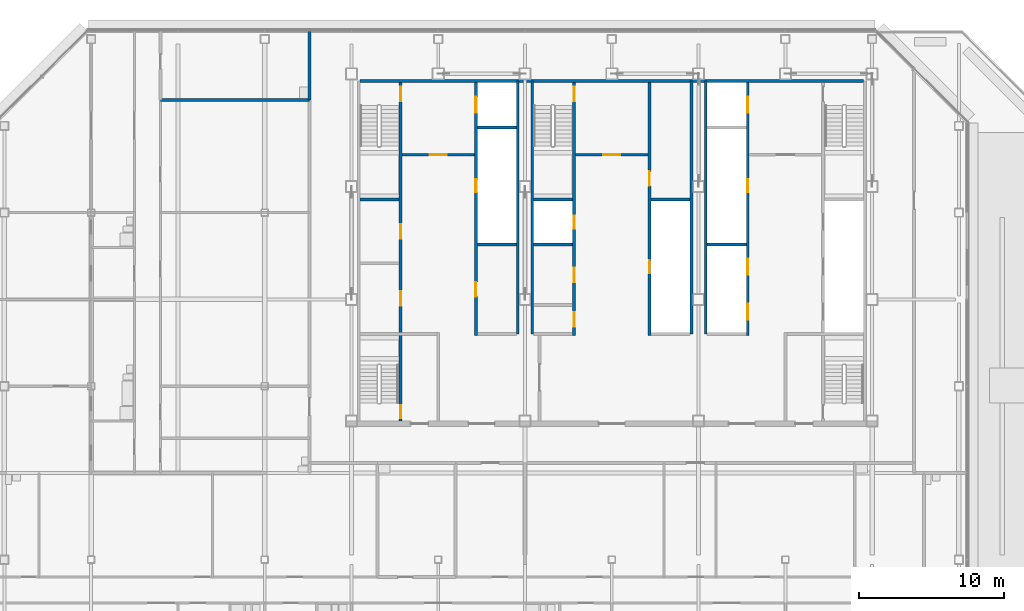
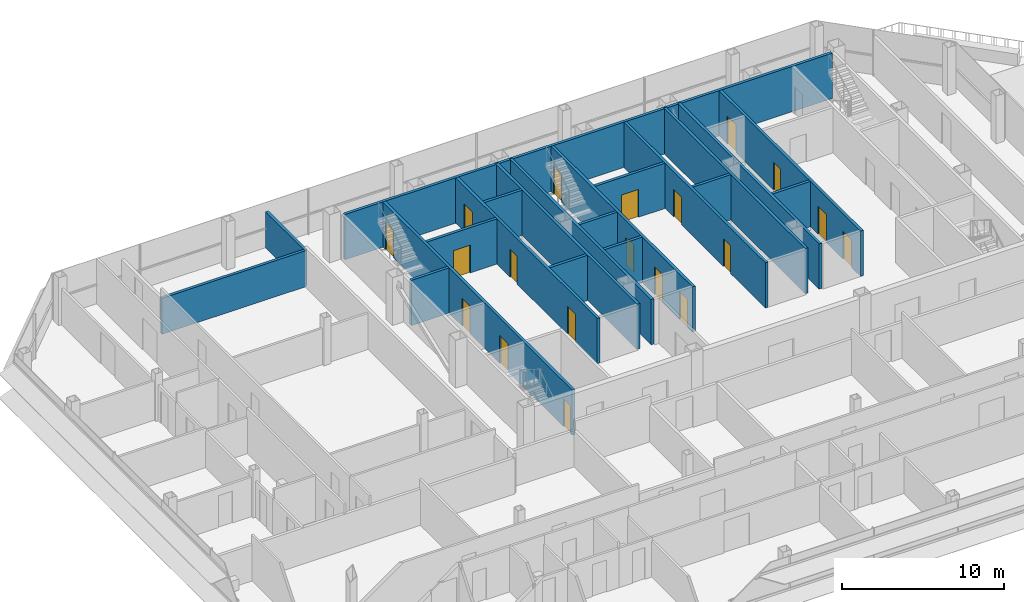
# One storey, part 21 of 28: 21 walls, 19 doors, 19 openings.
"""IFC4 building model written with IfcOpenShell, lengths in metres."""

from ifc_helpers import new_model, si_unit, direction, frame, frame_2d, origin, place, context, subcontext, project, spatial, rectangle, extrude, material, layer, layer_set, type_object, element, fill, save


model = new_model("IFC4")

# Units and contexts
model_context = context("Model", 3, precision=1e-05, world=origin(), true_north=direction((0.0, 1.0)))
body_context = subcontext(model_context, "Body", "Model", "MODEL_VIEW")
ifc_project = project(units=[si_unit("LENGTHUNIT", "METRE"), si_unit("AREAUNIT", "SQUARE_METRE"), si_unit("VOLUMEUNIT", "CUBIC_METRE"), si_unit("PLANEANGLEUNIT", "RADIAN"), si_unit("MASSUNIT", "GRAM", prefix="KILO")], contexts=[model_context])

# Site, building, storey
site_placement = place(None, origin())
site = spatial("IfcSite", under=ifc_project, at=site_placement, CompositionType="ELEMENT")
building_placement = place(site_placement, origin())
building = spatial("IfcBuilding", under=site, at=building_placement, Name="Sorahane Residences", CompositionType="ELEMENT")
storey_placement = place(building_placement, frame((0.0, 0.0, 290.800048828125)))
storey = spatial("IfcBuildingStorey", under=building, at=storey_placement, Name="L68", CompositionType="ELEMENT", Elevation=290.800048828125)

# Walls
ifc_material_1 = material(Name="Concrete C30", Category="concrete")
ifc_layer_1 = layer(ifc_material_1, 0.199951171875)
ifc_layer_set_1 = layer_set([ifc_layer_1], Name="Core face wall 200 EI 180")
wall_type_1 = type_object("IfcWallType", Name="Core face wall 200 EI 180", PredefinedType="SOLIDWALL", material=ifc_layer_set_1)
wall_1_placement = place(storey_placement, frame((6.60009765625, 45.10009765625, 0.0), z_axis=(0.0, 0.0, 1.0), x_axis=(1.0, 0.0, 0.0)))
element("IfcWall", 1, at=wall_1_placement, inside=storey, type_object=wall_type_1, Name="L68 core face wall", PredefinedType="SOLIDWALL", context=body_context, shape_type="SweptSolid", body=[
    extrude(rectangle(XDim=34.7998046875, YDim=0.199951171875, at=frame_2d((17.39990234375, 0.0))), origin(), (0.0, 0.0, 1.0), 3.419921875),
])
for number, where, z_axis, x_axis, name in (
    (2, (17.5, 27.60009765625, 0.0), (0.0, 0.0, 1.0), (0.0, 1.0, 0.0), "L68 core face wall"),
    (3, (18.5, 27.60009765625, 0.0), (0.0, 0.0, 1.0), (0.0, 1.0, 0.0), "L68 core face wall"),
    (4, (29.5, 27.60009765625, 0.0), (0.0, 0.0, 1.0), (0.0, 1.0, 0.0), "L68 core face wall"),
    (5, (30.5, 27.60009765625, 0.0), (0.0, 0.0, 1.0), (0.0, 1.0, 0.0), "L68 core face wall"),
):
    element("IfcWall", number, at=place(storey_placement, frame(where, z_axis=z_axis, x_axis=x_axis)), inside=storey, type_object=wall_type_1, Name=name, PredefinedType="SOLIDWALL", context=body_context, shape_type="SweptSolid", body=[
        extrude(rectangle(XDim=17.5, YDim=0.199951171875, at=frame_2d((8.75, 0.0))), origin(), (0.0, 0.0, 1.0), 3.419921875),
    ])

# Wall, opening, door
ifc_material_2 = material(Name="Concrete C30", Category="concrete")
ifc_layer_2 = layer(ifc_material_2, 0.199951171875)
ifc_layer_set_2 = layer_set([ifc_layer_2], Name="Front room wall 200 EI 120")
wall_type_2 = type_object("IfcWallType", Name="Front room wall 200 EI 120", PredefinedType="PARTITIONING", material=ifc_layer_set_2)
wall_2_placement = place(storey_placement, frame((21.5, 40.0, 0.0), z_axis=(0.0, 0.0, 1.0), x_axis=(1.0, 0.0, 0.0)))
wall_2 = element("IfcWall", 6, at=wall_2_placement, inside=storey, type_object=wall_type_2, Name="L68 front room wall", PredefinedType="PARTITIONING", context=body_context, shape_type="SweptSolid", body=[
    extrude(rectangle(XDim=5.0, YDim=0.199951171875, at=frame_2d((2.5, 0.0))), origin(), (0.0, 0.0, 1.0), 3.419921875),
])
opening_1_placement = place(wall_2_placement, frame((1.89990234375, 0.0, 0.0)))
opening_1 = element("IfcOpeningElement", 7, at=opening_1_placement, cuts=wall_2, Name="Opening L68-C08", PredefinedType="OPENING", context=body_context, shape_type="SweptSolid", body=[
    extrude(rectangle(XDim=1.199951171875, YDim=2.10009765625, at=frame_2d((0.60009765625, 1.050048828125))), frame((0.0, 0.10986328125, 0.0), z_axis=(0.0, -1.0, 0.0), x_axis=(1.0, 0.0, 0.0)), (0.0, 0.0, 1.0), 0.219970703125),
])
ifc_material_3 = material(Name="Steel", Category="steel")
door_type_1 = type_object("IfcDoorType", Name="Front room door 1200x2100 FD120", OperationType="NOTDEFINED", PredefinedType="DOOR", material=ifc_material_3)
door_1_placement = place(opening_1_placement, frame((1.199951171875, 0.0, 0.0), z_axis=(0.0, 0.0, 1.0), x_axis=(-1.0, 0.0, 0.0)))
door_1 = element("IfcDoor", 8, at=door_1_placement, inside=storey, type_object=door_type_1, Name="Front room door Stair S3 vestibule L68", OperationType="DOUBLE_DOOR_SINGLE_SWING", OverallHeight=2.10009765625, OverallWidth=1.199951171875, PredefinedType="DOOR", context=body_context, shape_type="SweptSolid", body=[
    extrude(rectangle(XDim=1.199951171875, YDim=2.10009765625, at=frame_2d((0.60009765625, 1.050048828125))), frame((0.0, 0.02490234375, 0.0), z_axis=(0.0, -1.0, 0.0), x_axis=(1.0, 0.0, 0.0)), (0.0, 0.0, 1.0), 0.050048828125),
])
fill(opening_1, door_1)

wall_3_placement = place(storey_placement, frame((9.5, 40.0, 0.0), z_axis=(0.0, 0.0, 1.0), x_axis=(1.0, 0.0, 0.0)))
wall_3 = element("IfcWall", 9, at=wall_3_placement, inside=storey, type_object=wall_type_2, Name="L68 front room wall", PredefinedType="PARTITIONING", context=body_context, shape_type="SweptSolid", body=[
    extrude(rectangle(XDim=5.0, YDim=0.199951171875, at=frame_2d((2.5, 0.0))), origin(), (0.0, 0.0, 1.0), 3.419921875),
])
opening_2_placement = place(wall_3_placement, frame((1.89990234375, 0.0, 0.0)))
opening_2 = element("IfcOpeningElement", 10, at=opening_2_placement, cuts=wall_3, Name="Opening L68-C07", PredefinedType="OPENING", context=body_context, shape_type="SweptSolid", body=[
    extrude(rectangle(XDim=1.199951171875, YDim=2.10009765625, at=frame_2d((0.60009765625, 1.050048828125))), frame((0.0, 0.10986328125, 0.0), z_axis=(0.0, -1.0, 0.0), x_axis=(1.0, 0.0, 0.0)), (0.0, 0.0, 1.0), 0.219970703125),
])
door_2_placement = place(opening_2_placement, frame((1.199951171875, 0.0, 0.0), z_axis=(0.0, 0.0, 1.0), x_axis=(-1.0, 0.0, 0.0)))
door_2 = element("IfcDoor", 11, at=door_2_placement, inside=storey, type_object=door_type_1, Name="Front room door Firefighting lobby FF1 front room L68", OperationType="DOUBLE_DOOR_SINGLE_SWING", OverallHeight=2.10009765625, OverallWidth=1.199951171875, PredefinedType="DOOR", context=body_context, shape_type="SweptSolid", body=[
    extrude(rectangle(XDim=1.199951171875, YDim=2.10009765625, at=frame_2d((0.60009765625, 1.050048828125))), frame((0.0, 0.02490234375, 0.0), z_axis=(0.0, -1.0, 0.0), x_axis=(1.0, 0.0, 0.0)), (0.0, 0.0, 1.0), 0.050048828125),
])
fill(opening_2, door_2)

# Walls
ifc_material_4 = material(Name="Concrete blockwork C20 wall", Category="masonry")
ifc_layer_3 = layer(ifc_material_4, 0.199951171875)
ifc_layer_set_3 = layer_set([ifc_layer_3], Name="Kitchen wall 200 EI 180")
wall_type_3 = type_object("IfcWallType", Name="Kitchen wall 200 EI 180", PredefinedType="SOLIDWALL", material=ifc_layer_set_3)
wall_4_placement = place(storey_placement, frame((3.10009765625, 43.800048828125, 0.0), z_axis=(0.0, 0.0, 1.0), x_axis=(0.0, 1.0, 0.0)))
element("IfcWall", 12, at=wall_4_placement, inside=storey, type_object=wall_type_3, Name="L68 kitchen wall", PredefinedType="SOLIDWALL", context=body_context, shape_type="SweptSolid", body=[
    extrude(rectangle(XDim=4.800048828125, YDim=0.199951171875, at=frame_2d((2.39990234375, 0.0))), origin(), (0.0, 0.0, 1.0), 2.719970703125),
])
wall_5_placement = place(storey_placement, frame((-7.199951171875, 43.800048828125, 0.0), z_axis=(0.0, 0.0, 1.0), x_axis=(1.0, 0.0, 0.0)))
element("IfcWall", 13, at=wall_5_placement, inside=storey, type_object=wall_type_3, Name="L68 kitchen wall", PredefinedType="SOLIDWALL", context=body_context, shape_type="SweptSolid", body=[
    extrude(rectangle(XDim=10.300048828125, YDim=0.199951171875, at=frame_2d((5.14990234375, 0.0))), origin(), (0.0, 0.0, 1.0), 2.719970703125),
])

# Wall, openings, doors
ifc_material_5 = material(Name="Concrete C30", Category="concrete")
ifc_layer_4 = layer(ifc_material_5, 0.199951171875)
ifc_layer_set_4 = layer_set([ifc_layer_4], Name="Lift shaft wall 200 EI 120")
wall_type_4 = type_object("IfcWallType", Name="Lift shaft wall 200 EI 120", PredefinedType="SOLIDWALL", material=ifc_layer_set_4)
wall_6_placement = place(storey_placement, frame((14.60009765625, 27.5, 0.0), z_axis=(0.0, 0.0, 1.0), x_axis=(0.0, 1.0, 0.0)))
wall_6 = element("IfcWall", 14, at=wall_6_placement, inside=storey, type_object=wall_type_4, Name="L68 lift shaft wall", PredefinedType="SOLIDWALL", context=body_context, shape_type="SweptSolid", body=[
    extrude(rectangle(XDim=17.5, YDim=0.199951171875, at=frame_2d((8.75, 0.0))), origin(), (0.0, 0.0, 1.0), 3.419921875),
])
opening_3_placement = place(wall_6_placement, frame((15.39990234375, 0.0, 0.0)))
opening_3 = element("IfcOpeningElement", 15, at=opening_3_placement, cuts=wall_6, Name="Opening L68-C16", PredefinedType="OPENING", context=body_context, shape_type="SweptSolid", body=[
    extrude(rectangle(XDim=1.10009765625, YDim=2.10009765625, at=frame_2d((0.550048828125, 1.050048828125))), frame((0.0, 0.10986328125, 0.0), z_axis=(0.0, -1.0, 0.0), x_axis=(1.0, 0.0, 0.0)), (0.0, 0.0, 1.0), 0.219970703125),
])
opening_4_placement = place(wall_6_placement, frame((2.699951171875, 0.0, 0.0)))
opening_4 = element("IfcOpeningElement", 16, at=opening_4_placement, cuts=wall_6, Name="Opening L68-C19", PredefinedType="OPENING", context=body_context, shape_type="SweptSolid", body=[
    extrude(rectangle(XDim=1.0, YDim=2.10009765625, at=frame_2d((0.5, 1.050048828125))), frame((0.0, 0.10986328125, 0.0), z_axis=(0.0, -1.0, 0.0), x_axis=(1.0, 0.0, 0.0)), (0.0, 0.0, 1.0), 0.219970703125),
])
opening_5_placement = place(wall_6_placement, frame((9.89990234375, 0.0, 0.0)))
opening_5 = element("IfcOpeningElement", 17, at=opening_5_placement, cuts=wall_6, Name="Opening L68-C27", PredefinedType="OPENING", context=body_context, shape_type="SweptSolid", body=[
    extrude(rectangle(XDim=0.89990234375, YDim=2.10009765625, at=frame_2d((0.449951171875, 1.050048828125))), frame((0.0, 0.10986328125, 0.0), z_axis=(0.0, -1.0, 0.0), x_axis=(1.0, 0.0, 0.0)), (0.0, 0.0, 1.0), 0.219970703125),
])
ifc_material_6 = material(Name="Aluminium and stainless steel", Category="steel")
door_type_2 = type_object("IfcDoorType", Name="Lift landing door 1100x2100 E 60", OperationType="NOTDEFINED", PredefinedType="DOOR", material=ifc_material_6)
door_3_placement = place(opening_3_placement, origin())
door_3 = element("IfcDoor", 18, at=door_3_placement, inside=storey, type_object=door_type_2, Name="Lift landing door FF1 L68", OperationType="DOUBLE_DOOR_SLIDING", OverallHeight=2.10009765625, OverallWidth=1.10009765625, PredefinedType="DOOR", context=body_context, shape_type="SweptSolid", body=[
    extrude(rectangle(XDim=1.10009765625, YDim=2.10009765625, at=frame_2d((0.550048828125, 1.050048828125))), frame((0.0, 0.02490234375, 0.0), z_axis=(0.0, -1.0, 0.0), x_axis=(1.0, 0.0, 0.0)), (0.0, 0.0, 1.0), 0.050048828125),
])
fill(opening_3, door_3)
ifc_material_7 = material(Name="Steel", Category="steel")
door_type_3 = type_object("IfcDoorType", Name="Riser door 900x2100 FD120", OperationType="NOTDEFINED", PredefinedType="DOOR", material=ifc_material_7)
door_4_placement = place(opening_5_placement, origin())
door_4 = element("IfcDoor", 19, at=door_4_placement, inside=storey, type_object=door_type_3, Name="Riser door R1 L68", OperationType="SINGLE_SWING_LEFT", OverallHeight=2.10009765625, OverallWidth=0.89990234375, PredefinedType="DOOR", context=body_context, shape_type="SweptSolid", body=[
    extrude(rectangle(XDim=0.89990234375, YDim=2.10009765625, at=frame_2d((0.449951171875, 1.050048828125))), frame((0.0, 0.02490234375, 0.0), z_axis=(0.0, -1.0, 0.0), x_axis=(1.0, 0.0, 0.0)), (0.0, 0.0, 1.0), 0.050048828125),
])
fill(opening_5, door_4)
ifc_material_8 = material(Name="Steel", Category="steel")
door_type_4 = type_object("IfcDoorType", Name="Service room door 1000x2100 FD60", OperationType="NOTDEFINED", PredefinedType="DOOR", material=ifc_material_8)
door_5_placement = place(opening_4_placement, frame((1.0, 0.0, 0.0), z_axis=(0.0, 0.0, 1.0), x_axis=(-1.0, 0.0, 0.0)))
door_5 = element("IfcDoor", 20, at=door_5_placement, inside=storey, type_object=door_type_4, Name="Service room door Gift store L68", OperationType="SINGLE_SWING_RIGHT", OverallHeight=2.10009765625, OverallWidth=1.0, PredefinedType="DOOR", context=body_context, shape_type="SweptSolid", body=[
    extrude(rectangle(XDim=1.0, YDim=2.10009765625, at=frame_2d((0.5, 1.050048828125))), frame((0.0, 0.02490234375, 0.0), z_axis=(0.0, -1.0, 0.0), x_axis=(1.0, 0.0, 0.0)), (0.0, 0.0, 1.0), 0.050048828125),
])
fill(opening_4, door_5)

wall_7_placement = place(storey_placement, frame((33.39990234375, 27.5, 0.0), z_axis=(0.0, 0.0, 1.0), x_axis=(0.0, 1.0, 0.0)))
wall_7 = element("IfcWall", 21, at=wall_7_placement, inside=storey, type_object=wall_type_4, Name="L68 lift shaft wall", PredefinedType="SOLIDWALL", context=body_context, shape_type="SweptSolid", body=[
    extrude(rectangle(XDim=17.5, YDim=0.199951171875, at=frame_2d((8.75, 0.0))), origin(), (0.0, 0.0, 1.0), 3.419921875),
])
opening_6_placement = place(wall_7_placement, frame((1.10009765625, 0.0, 0.0)))
opening_6 = element("IfcOpeningElement", 22, at=opening_6_placement, cuts=wall_7, Name="Opening L68-C13", PredefinedType="OPENING", context=body_context, shape_type="SweptSolid", body=[
    extrude(rectangle(XDim=1.10009765625, YDim=2.10009765625, at=frame_2d((0.550048828125, 1.050048828125))), frame((0.0, 0.10986328125, 0.0), z_axis=(0.0, -1.0, 0.0), x_axis=(1.0, 0.0, 0.0)), (0.0, 0.0, 1.0), 0.219970703125),
])
opening_7_placement = place(wall_7_placement, frame((4.199951171875, 0.0, 0.0)))
opening_7 = element("IfcOpeningElement", 23, at=opening_7_placement, cuts=wall_7, Name="Opening L68-C14", PredefinedType="OPENING", context=body_context, shape_type="SweptSolid", body=[
    extrude(rectangle(XDim=1.10009765625, YDim=2.10009765625, at=frame_2d((0.550048828125, 1.050048828125))), frame((0.0, 0.10986328125, 0.0), z_axis=(0.0, -1.0, 0.0), x_axis=(1.0, 0.0, 0.0)), (0.0, 0.0, 1.0), 0.219970703125),
])
opening_8_placement = place(wall_7_placement, frame((15.39990234375, 0.0, 0.0)))
opening_8 = element("IfcOpeningElement", 24, at=opening_8_placement, cuts=wall_7, Name="Opening L68-C15", PredefinedType="OPENING", context=body_context, shape_type="SweptSolid", body=[
    extrude(rectangle(XDim=1.10009765625, YDim=2.10009765625, at=frame_2d((0.550048828125, 1.050048828125))), frame((0.0, 0.10986328125, 0.0), z_axis=(0.0, -1.0, 0.0), x_axis=(1.0, 0.0, 0.0)), (0.0, 0.0, 1.0), 0.219970703125),
])
opening_9_placement = place(wall_7_placement, frame((9.89990234375, 0.0, 0.0)))
opening_9 = element("IfcOpeningElement", 25, at=opening_9_placement, cuts=wall_7, Name="Opening L68-C28", PredefinedType="OPENING", context=body_context, shape_type="SweptSolid", body=[
    extrude(rectangle(XDim=0.89990234375, YDim=2.10009765625, at=frame_2d((0.449951171875, 1.050048828125))), frame((0.0, 0.10986328125, 0.0), z_axis=(0.0, -1.0, 0.0), x_axis=(1.0, 0.0, 0.0)), (0.0, 0.0, 1.0), 0.219970703125),
])
door_6_placement = place(opening_6_placement, origin())
door_6 = element("IfcDoor", 26, at=door_6_placement, inside=storey, type_object=door_type_2, Name="Lift landing door HR4 L68", OperationType="DOUBLE_DOOR_SLIDING", OverallHeight=2.10009765625, OverallWidth=1.10009765625, PredefinedType="DOOR", context=body_context, shape_type="SweptSolid", body=[
    extrude(rectangle(XDim=1.10009765625, YDim=2.10009765625, at=frame_2d((0.550048828125, 1.050048828125))), frame((0.0, 0.02490234375, 0.0), z_axis=(0.0, -1.0, 0.0), x_axis=(1.0, 0.0, 0.0)), (0.0, 0.0, 1.0), 0.050048828125),
])
fill(opening_6, door_6)
door_7_placement = place(opening_7_placement, origin())
door_7 = element("IfcDoor", 27, at=door_7_placement, inside=storey, type_object=door_type_2, Name="Lift landing door HR5 L68", OperationType="DOUBLE_DOOR_SLIDING", OverallHeight=2.10009765625, OverallWidth=1.10009765625, PredefinedType="DOOR", context=body_context, shape_type="SweptSolid", body=[
    extrude(rectangle(XDim=1.10009765625, YDim=2.10009765625, at=frame_2d((0.550048828125, 1.050048828125))), frame((0.0, 0.02490234375, 0.0), z_axis=(0.0, -1.0, 0.0), x_axis=(1.0, 0.0, 0.0)), (0.0, 0.0, 1.0), 0.050048828125),
])
fill(opening_7, door_7)
door_8_placement = place(opening_8_placement, origin())
door_8 = element("IfcDoor", 28, at=door_8_placement, inside=storey, type_object=door_type_2, Name="Lift landing door FF2 L68", OperationType="DOUBLE_DOOR_SLIDING", OverallHeight=2.10009765625, OverallWidth=1.10009765625, PredefinedType="DOOR", context=body_context, shape_type="SweptSolid", body=[
    extrude(rectangle(XDim=1.10009765625, YDim=2.10009765625, at=frame_2d((0.550048828125, 1.050048828125))), frame((0.0, 0.02490234375, 0.0), z_axis=(0.0, -1.0, 0.0), x_axis=(1.0, 0.0, 0.0)), (0.0, 0.0, 1.0), 0.050048828125),
])
fill(opening_8, door_8)
door_9_placement = place(opening_9_placement, frame((0.89990234375, 0.0, 0.0), z_axis=(0.0, 0.0, 1.0), x_axis=(-1.0, 0.0, 0.0)))
door_9 = element("IfcDoor", 29, at=door_9_placement, inside=storey, type_object=door_type_3, Name="Riser door R2 L68", OperationType="SINGLE_SWING_LEFT", OverallHeight=2.10009765625, OverallWidth=0.89990234375, PredefinedType="DOOR", context=body_context, shape_type="SweptSolid", body=[
    extrude(rectangle(XDim=0.89990234375, YDim=2.10009765625, at=frame_2d((0.449951171875, 1.050048828125))), frame((0.0, 0.02490234375, 0.0), z_axis=(0.0, -1.0, 0.0), x_axis=(1.0, 0.0, 0.0)), (0.0, 0.0, 1.0), 0.050048828125),
])
fill(opening_9, door_9)

# Walls
for number, where, z_axis, x_axis, name in (
    (30, (30.60009765625, 33.800048828125, 0.0), (0.0, 0.0, 1.0), (1.0, 0.0, 0.0), "L68 lift shaft wall"),
    (31, (14.699951171875, 41.89990234375, 0.0), (0.0, 0.0, 1.0), (1.0, 0.0, 0.0), "L68 lift shaft wall"),
):
    element("IfcWall", number, at=place(storey_placement, frame(where, z_axis=z_axis, x_axis=x_axis)), inside=storey, type_object=wall_type_4, Name=name, PredefinedType="SOLIDWALL", context=body_context, shape_type="SweptSolid", body=[
        extrude(rectangle(XDim=2.699951171875, YDim=0.199951171875, at=frame_2d((1.35009765625, 0.0))), origin(), (0.0, 0.0, 1.0), 3.419921875),
    ])

# Wall, openings, doors
ifc_material_9 = material(Name="Concrete C30", Category="concrete")
ifc_layer_5 = layer(ifc_material_9, 0.199951171875)
ifc_layer_set_5 = layer_set([ifc_layer_5], Name="Riser shaft wall 200 EI 120")
wall_type_5 = type_object("IfcWallType", Name="Riser shaft wall 200 EI 120", PredefinedType="SOLIDWALL", material=ifc_layer_set_5)
wall_8_placement = place(storey_placement, frame((26.60009765625, 27.5, 0.0), z_axis=(0.0, 0.0, 1.0), x_axis=(0.0, 1.0, 0.0)))
wall_8 = element("IfcWall", 32, at=wall_8_placement, inside=storey, type_object=wall_type_5, Name="L68 riser wall", PredefinedType="SOLIDWALL", context=body_context, shape_type="SweptSolid", body=[
    extrude(rectangle(XDim=17.5, YDim=0.199951171875, at=frame_2d((8.75, 0.0))), origin(), (0.0, 0.0, 1.0), 3.419921875),
])
opening_10_placement = place(wall_8_placement, frame((4.300048828125, 0.0, 0.0)))
opening_10 = element("IfcOpeningElement", 33, at=opening_10_placement, cuts=wall_8, Name="Opening L68-C30", PredefinedType="OPENING", context=body_context, shape_type="SweptSolid", body=[
    extrude(rectangle(XDim=0.89990234375, YDim=2.10009765625, at=frame_2d((0.449951171875, 1.050048828125))), frame((0.0, 0.10986328125, 0.0), z_axis=(0.0, -1.0, 0.0), x_axis=(1.0, 0.0, 0.0)), (0.0, 0.0, 1.0), 0.219970703125),
])
opening_11_placement = place(wall_8_placement, frame((10.35009765625, 0.0, 0.0)))
opening_11 = element("IfcOpeningElement", 34, at=opening_11_placement, cuts=wall_8, Name="Opening L68-C31", PredefinedType="OPENING", context=body_context, shape_type="SweptSolid", body=[
    extrude(rectangle(XDim=1.0, YDim=2.10009765625, at=frame_2d((0.5, 1.050048828125))), frame((0.0, 0.10986328125, 0.0), z_axis=(0.0, -1.0, 0.0), x_axis=(1.0, 0.0, 0.0)), (0.0, 0.0, 1.0), 0.219970703125),
])
door_10_placement = place(opening_10_placement, origin())
door_10 = element("IfcDoor", 35, at=door_10_placement, inside=storey, type_object=door_type_3, Name="Riser door R4 L68", OperationType="SINGLE_SWING_LEFT", OverallHeight=2.10009765625, OverallWidth=0.89990234375, PredefinedType="DOOR", context=body_context, shape_type="SweptSolid", body=[
    extrude(rectangle(XDim=0.89990234375, YDim=2.10009765625, at=frame_2d((0.449951171875, 1.050048828125))), frame((0.0, 0.02490234375, 0.0), z_axis=(0.0, -1.0, 0.0), x_axis=(1.0, 0.0, 0.0)), (0.0, 0.0, 1.0), 0.050048828125),
])
fill(opening_10, door_10)
door_11_placement = place(opening_11_placement, frame((1.0, 0.0, 0.0), z_axis=(0.0, 0.0, 1.0), x_axis=(-1.0, 0.0, 0.0)))
door_11 = element("IfcDoor", 36, at=door_11_placement, inside=storey, type_object=door_type_4, Name="Service room door Housekeeping store L68", OperationType="SINGLE_SWING_LEFT", OverallHeight=2.10009765625, OverallWidth=1.0, PredefinedType="DOOR", context=body_context, shape_type="SweptSolid", body=[
    extrude(rectangle(XDim=1.0, YDim=2.10009765625, at=frame_2d((0.5, 1.050048828125))), frame((0.0, 0.02490234375, 0.0), z_axis=(0.0, -1.0, 0.0), x_axis=(1.0, 0.0, 0.0)), (0.0, 0.0, 1.0), 0.050048828125),
])
fill(opening_11, door_11)

# Walls
for number, where, z_axis, x_axis, name in (
    (37, (14.699951171875, 33.800048828125, 0.0), (0.0, 0.0, 1.0), (1.0, 0.0, 0.0), "L68 riser wall"),
    (38, (18.60009765625, 33.800048828125, 0.0), (0.0, 0.0, 1.0), (1.0, 0.0, 0.0), "L68 riser wall"),
    (39, (26.699951171875, 36.89990234375, 0.0), (0.0, 0.0, 1.0), (1.0, 0.0, 0.0), "L68 riser wall"),
):
    element("IfcWall", number, at=place(storey_placement, frame(where, z_axis=z_axis, x_axis=x_axis)), inside=storey, type_object=wall_type_5, Name=name, PredefinedType="SOLIDWALL", context=body_context, shape_type="SweptSolid", body=[
        extrude(rectangle(XDim=2.699951171875, YDim=0.199951171875, at=frame_2d((1.35009765625, 0.0))), origin(), (0.0, 0.0, 1.0), 3.419921875),
    ])

# Wall, openings, doors
ifc_material_10 = material(Name="Concrete C30", Category="concrete")
ifc_layer_6 = layer(ifc_material_10, 0.199951171875)
ifc_layer_set_6 = layer_set([ifc_layer_6], Name="Stair enclosure wall 200 EI 120")
wall_type_6 = type_object("IfcWallType", Name="Stair enclosure wall 200 EI 120", PredefinedType="SOLIDWALL", material=ifc_layer_set_6)
wall_9_placement = place(storey_placement, frame((21.39990234375, 27.5, 0.0), z_axis=(0.0, 0.0, 1.0), x_axis=(0.0, 1.0, 0.0)))
wall_9 = element("IfcWall", 40, at=wall_9_placement, inside=storey, type_object=wall_type_6, Name="L68 stair enclosure wall", PredefinedType="SOLIDWALL", context=body_context, shape_type="SweptSolid", body=[
    extrude(rectangle(XDim=17.5, YDim=0.199951171875, at=frame_2d((8.75, 0.0))), origin(), (0.0, 0.0, 1.0), 3.419921875),
])
opening_12_placement = place(wall_9_placement, frame((0.60009765625, 0.0, 0.0)))
opening_12 = element("IfcOpeningElement", 41, at=opening_12_placement, cuts=wall_9, Name="Opening L68-C17", PredefinedType="OPENING", context=body_context, shape_type="SweptSolid", body=[
    extrude(rectangle(XDim=1.0, YDim=2.10009765625, at=frame_2d((0.5, 1.050048828125))), frame((0.0, 0.10986328125, 0.0), z_axis=(0.0, -1.0, 0.0), x_axis=(1.0, 0.0, 0.0)), (0.0, 0.0, 1.0), 0.219970703125),
])
opening_13_placement = place(wall_9_placement, frame((3.699951171875, 0.0, 0.0)))
opening_13 = element("IfcOpeningElement", 42, at=opening_13_placement, cuts=wall_9, Name="Opening L68-C18", PredefinedType="OPENING", context=body_context, shape_type="SweptSolid", body=[
    extrude(rectangle(XDim=1.0, YDim=2.10009765625, at=frame_2d((0.5, 1.050048828125))), frame((0.0, 0.10986328125, 0.0), z_axis=(0.0, -1.0, 0.0), x_axis=(1.0, 0.0, 0.0)), (0.0, 0.0, 1.0), 0.219970703125),
])
opening_14_placement = place(wall_9_placement, frame((16.199951171875, 0.0, 0.0)))
opening_14 = element("IfcOpeningElement", 43, at=opening_14_placement, cuts=wall_9, Name="Opening L68-C24", PredefinedType="OPENING", context=body_context, shape_type="SweptSolid", body=[
    extrude(rectangle(XDim=1.0, YDim=2.10009765625, at=frame_2d((0.5, 1.050048828125))), frame((0.0, 0.10986328125, 0.0), z_axis=(0.0, -1.0, 0.0), x_axis=(1.0, 0.0, 0.0)), (0.0, 0.0, 1.0), 0.219970703125),
])
opening_15_placement = place(wall_9_placement, frame((7.39990234375, 0.0, 0.0)))
opening_15 = element("IfcOpeningElement", 44, at=opening_15_placement, cuts=wall_9, Name="Opening L68-C29", PredefinedType="OPENING", context=body_context, shape_type="SweptSolid", body=[
    extrude(rectangle(XDim=0.89990234375, YDim=2.10009765625, at=frame_2d((0.449951171875, 1.050048828125))), frame((0.0, 0.10986328125, 0.0), z_axis=(0.0, -1.0, 0.0), x_axis=(1.0, 0.0, 0.0)), (0.0, 0.0, 1.0), 0.219970703125),
])
door_12_placement = place(opening_15_placement, frame((0.89990234375, 0.0, 0.0), z_axis=(0.0, 0.0, 1.0), x_axis=(-1.0, 0.0, 0.0)))
door_12 = element("IfcDoor", 45, at=door_12_placement, inside=storey, type_object=door_type_3, Name="Riser door R3 L68", OperationType="SINGLE_SWING_LEFT", OverallHeight=2.10009765625, OverallWidth=0.89990234375, PredefinedType="DOOR", context=body_context, shape_type="SweptSolid", body=[
    extrude(rectangle(XDim=0.89990234375, YDim=2.10009765625, at=frame_2d((0.449951171875, 1.050048828125))), frame((0.0, 0.02490234375, 0.0), z_axis=(0.0, -1.0, 0.0), x_axis=(1.0, 0.0, 0.0)), (0.0, 0.0, 1.0), 0.050048828125),
])
fill(opening_15, door_12)
door_13_placement = place(opening_12_placement, origin())
door_13 = element("IfcDoor", 46, at=door_13_placement, inside=storey, type_object=door_type_4, Name="Service room door Wine store L68", OperationType="SINGLE_SWING_LEFT", OverallHeight=2.10009765625, OverallWidth=1.0, PredefinedType="DOOR", context=body_context, shape_type="SweptSolid", body=[
    extrude(rectangle(XDim=1.0, YDim=2.10009765625, at=frame_2d((0.5, 1.050048828125))), frame((0.0, 0.02490234375, 0.0), z_axis=(0.0, -1.0, 0.0), x_axis=(1.0, 0.0, 0.0)), (0.0, 0.0, 1.0), 0.050048828125),
])
fill(opening_12, door_13)
door_14_placement = place(opening_13_placement, origin())
door_14 = element("IfcDoor", 47, at=door_14_placement, inside=storey, type_object=door_type_4, Name="Service room door Games room L68", OperationType="SINGLE_SWING_RIGHT", OverallHeight=2.10009765625, OverallWidth=1.0, PredefinedType="DOOR", context=body_context, shape_type="SweptSolid", body=[
    extrude(rectangle(XDim=1.0, YDim=2.10009765625, at=frame_2d((0.5, 1.050048828125))), frame((0.0, 0.02490234375, 0.0), z_axis=(0.0, -1.0, 0.0), x_axis=(1.0, 0.0, 0.0)), (0.0, 0.0, 1.0), 0.050048828125),
])
fill(opening_13, door_14)
ifc_material_11 = material(Name="Steel", Category="steel")
door_type_5 = type_object("IfcDoorType", Name="Stair door 1000x2100 FD120", OperationType="NOTDEFINED", PredefinedType="DOOR", material=ifc_material_11)
door_15_placement = place(opening_14_placement, origin())
door_15 = element("IfcDoor", 48, at=door_15_placement, inside=storey, type_object=door_type_5, Name="Stair door S3 L68", OperationType="SINGLE_SWING_LEFT", OverallHeight=2.10009765625, OverallWidth=1.0, PredefinedType="DOOR", context=body_context, shape_type="SweptSolid", body=[
    extrude(rectangle(XDim=1.0, YDim=2.10009765625, at=frame_2d((0.5, 1.050048828125))), frame((0.0, 0.02490234375, 0.0), z_axis=(0.0, -1.0, 0.0), x_axis=(1.0, 0.0, 0.0)), (0.0, 0.0, 1.0), 0.050048828125),
])
fill(opening_14, door_15)

wall_10_placement = place(storey_placement, frame((9.39990234375, 21.60009765625, 0.0), z_axis=(0.0, 0.0, 1.0), x_axis=(0.0, 1.0, 0.0)))
wall_10 = element("IfcWall", 49, at=wall_10_placement, inside=storey, type_object=wall_type_6, Name="L68 stair enclosure wall", PredefinedType="SOLIDWALL", context=body_context, shape_type="SweptSolid", body=[
    extrude(rectangle(XDim=23.39990234375, YDim=0.199951171875, at=frame_2d((11.699951171875, 0.0))), origin(), (0.0, 0.0, 1.0), 3.419921875),
])
opening_16_placement = place(wall_10_placement, frame((7.949951171875, 0.0, 0.0)))
opening_16 = element("IfcOpeningElement", 50, at=opening_16_placement, cuts=wall_10, Name="Opening L68-C20", PredefinedType="OPENING", context=body_context, shape_type="SweptSolid", body=[
    extrude(rectangle(XDim=1.0, YDim=2.10009765625, at=frame_2d((0.5, 1.050048828125))), frame((0.0, 0.10986328125, 0.0), z_axis=(0.0, -1.0, 0.0), x_axis=(1.0, 0.0, 0.0)), (0.0, 0.0, 1.0), 0.219970703125),
])
opening_17_placement = place(wall_10_placement, frame((12.60009765625, 0.0, 0.0)))
opening_17 = element("IfcOpeningElement", 51, at=opening_17_placement, cuts=wall_10, Name="Opening L68-C21", PredefinedType="OPENING", context=body_context, shape_type="SweptSolid", body=[
    extrude(rectangle(XDim=1.0, YDim=2.10009765625, at=frame_2d((0.5, 1.050048828125))), frame((0.0, 0.10986328125, 0.0), z_axis=(0.0, -1.0, 0.0), x_axis=(1.0, 0.0, 0.0)), (0.0, 0.0, 1.0), 0.219970703125),
])
opening_18_placement = place(wall_10_placement, frame((22.10009765625, 0.0, 0.0)))
opening_18 = element("IfcOpeningElement", 52, at=opening_18_placement, cuts=wall_10, Name="Opening L68-C22", PredefinedType="OPENING", context=body_context, shape_type="SweptSolid", body=[
    extrude(rectangle(XDim=1.0, YDim=2.10009765625, at=frame_2d((0.5, 1.050048828125))), frame((0.0, 0.10986328125, 0.0), z_axis=(0.0, -1.0, 0.0), x_axis=(1.0, 0.0, 0.0)), (0.0, 0.0, 1.0), 0.219970703125),
])
opening_19_placement = place(wall_10_placement, frame((0.175048828125, 0.0, 0.0)))
opening_19 = element("IfcOpeningElement", 53, at=opening_19_placement, cuts=wall_10, Name="Opening L68-C25", PredefinedType="OPENING", context=body_context, shape_type="SweptSolid", body=[
    extrude(rectangle(XDim=0.89990234375, YDim=2.10009765625, at=frame_2d((0.449951171875, 1.050048828125))), frame((0.0, 0.10986328125, 0.0), z_axis=(0.0, -1.0, 0.0), x_axis=(1.0, 0.0, 0.0)), (0.0, 0.0, 1.0), 0.219970703125),
])
door_16_placement = place(opening_16_placement, origin())
door_16 = element("IfcDoor", 54, at=door_16_placement, inside=storey, type_object=door_type_4, Name="Service room door Gift store L68", OperationType="SINGLE_SWING_LEFT", OverallHeight=2.10009765625, OverallWidth=1.0, PredefinedType="DOOR", context=body_context, shape_type="SweptSolid", body=[
    extrude(rectangle(XDim=1.0, YDim=2.10009765625, at=frame_2d((0.5, 1.050048828125))), frame((0.0, 0.02490234375, 0.0), z_axis=(0.0, -1.0, 0.0), x_axis=(1.0, 0.0, 0.0)), (0.0, 0.0, 1.0), 0.050048828125),
])
fill(opening_16, door_16)
door_17_placement = place(opening_17_placement, origin())
door_17 = element("IfcDoor", 55, at=door_17_placement, inside=storey, type_object=door_type_4, Name="Service room door Cinema room L68", OperationType="SINGLE_SWING_RIGHT", OverallHeight=2.10009765625, OverallWidth=1.0, PredefinedType="DOOR", context=body_context, shape_type="SweptSolid", body=[
    extrude(rectangle(XDim=1.0, YDim=2.10009765625, at=frame_2d((0.5, 1.050048828125))), frame((0.0, 0.02490234375, 0.0), z_axis=(0.0, -1.0, 0.0), x_axis=(1.0, 0.0, 0.0)), (0.0, 0.0, 1.0), 0.050048828125),
])
fill(opening_17, door_17)
door_18_placement = place(opening_18_placement, origin())
door_18 = element("IfcDoor", 56, at=door_18_placement, inside=storey, type_object=door_type_5, Name="Stair door S1 L68", OperationType="SINGLE_SWING_LEFT", OverallHeight=2.10009765625, OverallWidth=1.0, PredefinedType="DOOR", context=body_context, shape_type="SweptSolid", body=[
    extrude(rectangle(XDim=1.0, YDim=2.10009765625, at=frame_2d((0.5, 1.050048828125))), frame((0.0, 0.02490234375, 0.0), z_axis=(0.0, -1.0, 0.0), x_axis=(1.0, 0.0, 0.0)), (0.0, 0.0, 1.0), 0.050048828125),
])
fill(opening_18, door_18)
ifc_material_12 = material(Name="Steel", Category="steel")
door_type_6 = type_object("IfcDoorType", Name="Stair door 900x2100 FD120", OperationType="NOTDEFINED", PredefinedType="DOOR", material=ifc_material_12)
door_19_placement = place(opening_19_placement, origin())
door_19 = element("IfcDoor", 57, at=door_19_placement, inside=storey, type_object=door_type_6, Name="Stair door S4 L68", OperationType="SINGLE_SWING_LEFT", OverallHeight=2.10009765625, OverallWidth=0.89990234375, PredefinedType="DOOR", context=body_context, shape_type="SweptSolid", body=[
    extrude(rectangle(XDim=0.89990234375, YDim=2.10009765625, at=frame_2d((0.449951171875, 1.050048828125))), frame((0.0, 0.02490234375, 0.0), z_axis=(0.0, -1.0, 0.0), x_axis=(1.0, 0.0, 0.0)), (0.0, 0.0, 1.0), 0.050048828125),
])
fill(opening_19, door_19)

# Walls
for number, where, z_axis, x_axis, name in (
    (58, (18.60009765625, 36.89990234375, 0.0), (0.0, 0.0, 1.0), (1.0, 0.0, 0.0), "L68 stair enclosure wall"),
    (59, (6.60009765625, 36.89990234375, 0.0), (0.0, 0.0, 1.0), (1.0, 0.0, 0.0), "L68 stair enclosure wall"),
):
    element("IfcWall", number, at=place(storey_placement, frame(where, z_axis=z_axis, x_axis=x_axis)), inside=storey, type_object=wall_type_6, Name=name, PredefinedType="SOLIDWALL", context=body_context, shape_type="SweptSolid", body=[
        extrude(rectangle(XDim=2.699951171875, YDim=0.199951171875, at=frame_2d((1.35009765625, 0.0))), origin(), (0.0, 0.0, 1.0), 3.419921875),
    ])

save(model, "model.ifc")
